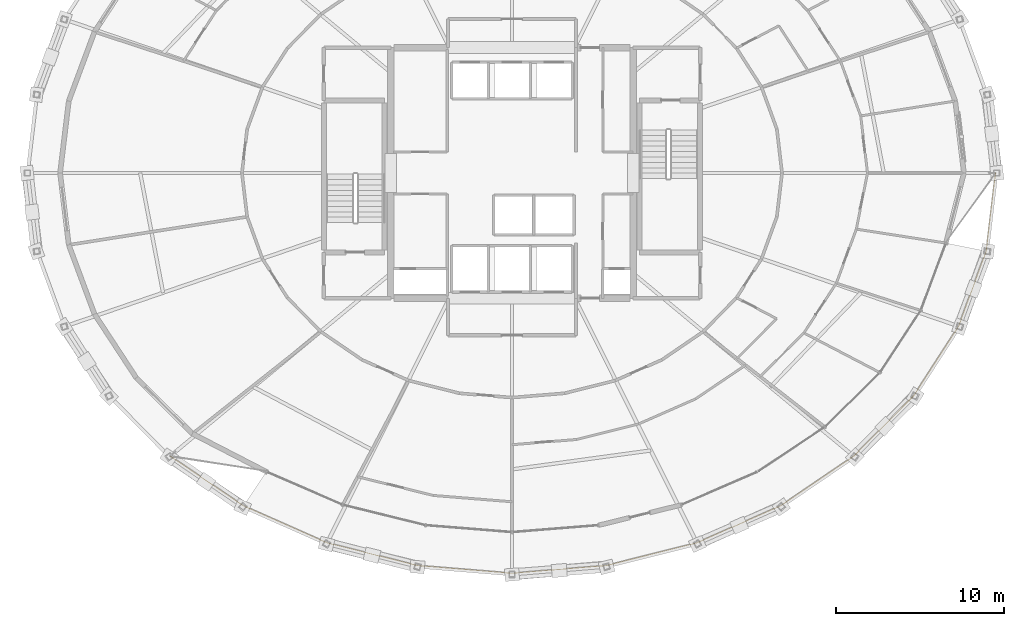
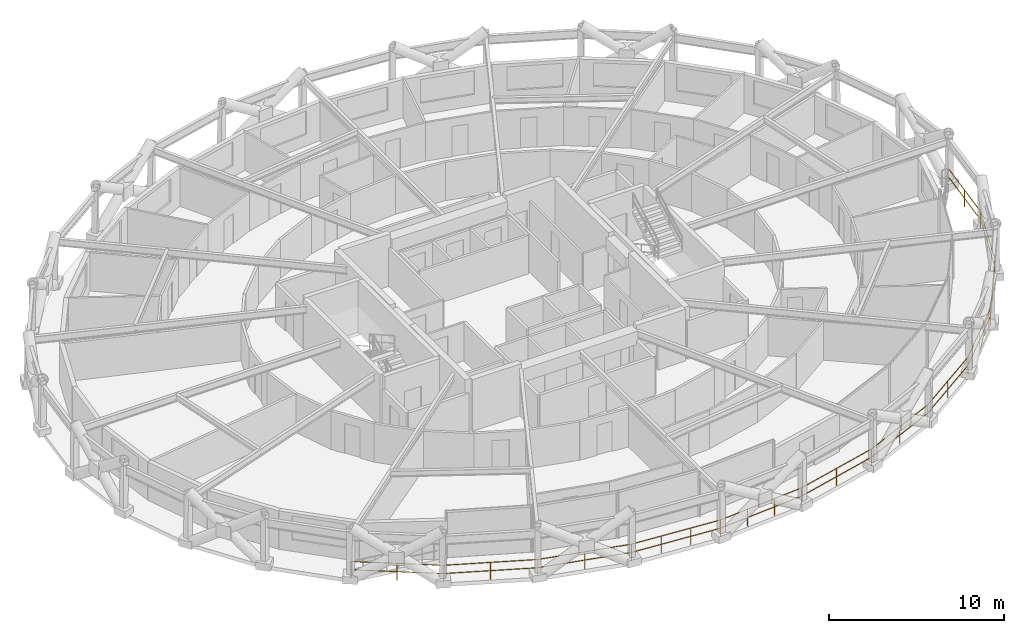
# One storey, part 22 of 23: 1 railing.
"""IFC4 building model written with IfcOpenShell, lengths in metres."""

import ifcopenshell
import ifcopenshell.guid

model = None  # the IFC model being written
_history = None  # IfcOwnerHistory: only IFC2X3 demands one
_inside = {}  # id of a spatial element -> (the spatial element, [elements in it])
_under = {}  # id of a project, library or spatial element -> (it, [spatial elements below it])
_declared = {}  # id of a project -> (the project, [libraries it declares])
_typed = {}  # id of a type object -> (the type object, [elements of that type])
_made_of = {}  # id of a material, layer set ... -> (it, [elements and type objects made of it])


def new_model(schema):
    """Start an empty IFC model of exactly this schema.

    Asked for "IFC4X3", IfcOpenShell would pick the latest addendum, in which some entities
    have other attributes; the version numbers below select the first issue.
    IFC2X3 requires an IfcOwnerHistory on every rooted entity: one is made here for all.
    """
    global model, _history
    if schema == "IFC4X3":
        model = ifcopenshell.file(schema_version=(4, 3, 0, 0))
    else:
        model = ifcopenshell.file(schema=schema)
    _inside.clear()
    _under.clear()
    _declared.clear()
    _typed.clear()
    _made_of.clear()
    _history = None
    if model.schema == "IFC2X3":
        org = make("IfcOrganization", Name="unknown")
        user = make(
            "IfcPersonAndOrganization",
            ThePerson=make("IfcPerson", FamilyName="unknown"),
            TheOrganization=org,
        )
        app = make(
            "IfcApplication",
            ApplicationDeveloper=org,
            Version="unknown",
            ApplicationFullName="unknown",
            ApplicationIdentifier="unknown",
        )
        _history = make(
            "IfcOwnerHistory",
            OwningUser=user,
            OwningApplication=app,
            ChangeAction="ADDED",
            CreationDate=0,
        )
    return model


def make(cls, **values):
    """One entity of the class cls with the attributes given. An attribute that is None is left unset."""
    return model.create_entity(
        cls, **{name: value for name, value in values.items() if value is not None}
    )


def rooted(cls, **values):
    """An entity with a GlobalId (a new one), such as an element, a storey or a relation."""
    return make(cls, GlobalId=ifcopenshell.guid.new(), OwnerHistory=_history, **values)


def si_unit(unit_type, name, prefix=None):
    """IfcSIUnit, for example si_unit("LENGTHUNIT", "METRE", prefix="MILLI")."""
    return make("IfcSIUnit", UnitType=unit_type, Prefix=prefix, Name=name)


def assignment(units):
    """IfcUnitAssignment: the units of a project."""
    return None if units is None else make("IfcUnitAssignment", Units=units)


def point(xyz):
    """IfcCartesianPoint."""
    return None if xyz is None else make("IfcCartesianPoint", Coordinates=xyz)


def direction(xyz):
    """IfcDirection."""
    return None if xyz is None else make("IfcDirection", DirectionRatios=xyz)


def frame(location, z_axis=None, x_axis=None):
    """IfcAxis2Placement3D, a coordinate frame: its origin and axes. An axis left out is left unset."""
    return make(
        "IfcAxis2Placement3D",
        Location=point(location),
        Axis=direction(z_axis),
        RefDirection=direction(x_axis),
    )


def frame_2d(location, x_axis=None):
    """IfcAxis2Placement2D, a coordinate frame in the plane: its origin and x axis."""
    return make(
        "IfcAxis2Placement2D", Location=point(location), RefDirection=direction(x_axis)
    )


def origin():
    """The frame at (0, 0, 0) with its axes left unset."""
    return frame((0.0, 0.0, 0.0))


def origin_2d():
    """The frame at (0, 0) in the plane with its x axis left unset."""
    return frame_2d((0.0, 0.0))


def place(relative_to, where):
    """IfcLocalPlacement: puts the frame where relative to a parent placement (None: the world)."""
    return make(
        "IfcLocalPlacement", PlacementRelTo=relative_to, RelativePlacement=where
    )


def context(
    kind, dimensions, precision=None, world=None, true_north=None, identifier=None
):
    """IfcGeometricRepresentationContext, for example the 3D "Model" context."""
    return make(
        "IfcGeometricRepresentationContext",
        ContextIdentifier=identifier,
        ContextType=kind,
        CoordinateSpaceDimension=dimensions,
        Precision=precision,
        WorldCoordinateSystem=world,
        TrueNorth=true_north,
    )


def subcontext(parent, identifier, kind, view, scale=None):
    """IfcGeometricRepresentationSubContext, for example "Body" below "Model"."""
    return make(
        "IfcGeometricRepresentationSubContext",
        ContextIdentifier=identifier,
        ContextType=kind,
        ParentContext=parent,
        TargetScale=scale,
        TargetView=view,
    )


def project(units=None, contexts=None):
    """IfcProject with its units and contexts."""
    return rooted(
        "IfcProject",
        Name="project",
        RepresentationContexts=contexts,
        UnitsInContext=assignment(units),
    )


def spatial(cls, under=None, at=None, **own):
    """A site, building, storey or space (cls), placed at a placement, below another one or the project."""
    s = rooted(cls, ObjectPlacement=at, **own)
    if under is not None:
        _under.setdefault(under.id(), (under, []))[1].append(s)
    return s


def profile(cls, at=None, kind="AREA", **sizes):
    """A parametric profile (cls). Its sizes go by their IFC names, for example OverallWidth=200.0."""
    return make(cls, ProfileType=kind, Position=at, **sizes)


def circle(**sizes):
    """IfcCircleProfileDef."""
    return profile("IfcCircleProfileDef", **sizes)


def extrude(swept, where, along, depth):
    """IfcExtrudedAreaSolid: the profile swept, set in the frame where, extruded along a direction by depth."""
    return make(
        "IfcExtrudedAreaSolid",
        SweptArea=swept,
        Position=where,
        ExtrudedDirection=direction(along),
        Depth=depth,
    )


def shape(context_of_items, identifier, shape_type, items):
    """IfcShapeRepresentation: the items that make up one representation, for example the "Body"."""
    return make(
        "IfcShapeRepresentation",
        ContextOfItems=context_of_items,
        RepresentationIdentifier=identifier,
        RepresentationType=shape_type,
        Items=items,
    )


def material(Name=None, Category=None):
    """IfcMaterial."""
    return make("IfcMaterial", Name=Name, Category=Category)


def made_of(thing, what):
    """Note that an element or type object is made of a material, layer set ...; save() writes the relation."""
    if what is not None:
        _made_of.setdefault(what.id(), (what, []))[1].append(thing)
    return thing


def type_object(cls, material=None, **own):
    """A type object (cls), such as IfcWallType, which elements share."""
    return made_of(rooted(cls, **own), material)


def element(
    cls,
    number,
    at=None,
    inside=None,
    cuts=None,
    type_object=None,
    material=None,
    context=None,
    identifier="Body",
    shape_type=None,
    held_by="IfcProductDefinitionShape",
    body=None,
    shapes=None,
    **own,
):
    """One element of the class cls, such as IfcWall. Its Tag is "e" and its number.

    at: its placement. inside: the storey or other place that contains it. cuts: it is an
    opening in that element (IfcRelVoidsElement). A single representation is given by context,
    identifier, shape_type and body (its items); several are given by shapes. held_by: the class
    of the entity that holds the representations. save() writes the other relations.
    """
    e = rooted(cls, Tag="e%d" % number, ObjectPlacement=at, **own)
    if body is not None:
        shapes = [shape(context, identifier, shape_type, body)]
    if shapes is not None:
        e.Representation = make(held_by, Representations=shapes)
    if inside is not None:
        _inside.setdefault(inside.id(), (inside, []))[1].append(e)
    if cuts is not None:
        rooted(
            "IfcRelVoidsElement", RelatingBuildingElement=cuts, RelatedOpeningElement=e
        )
    if type_object is not None:
        _typed.setdefault(type_object.id(), (type_object, []))[1].append(e)
    return made_of(e, material)


def aggregate(whole, parts):
    """IfcRelAggregates: a whole, such as a stair, and the parts it consists of."""
    return rooted("IfcRelAggregates", RelatingObject=whole, RelatedObjects=parts)


def save(model, path):
    """Write the relations noted so far, then the file.

    IfcRelAggregates (storeys below a building ...), IfcRelContainedInSpatialStructure (elements
    in a storey), IfcRelDefinesByType, IfcRelAssociatesMaterial and IfcRelDeclares: one each for
    every whole, place, type object, material and project.
    """
    for whole, parts in _under.values():
        aggregate(whole, parts)
    for where, things in _inside.values():
        rooted(
            "IfcRelContainedInSpatialStructure",
            RelatedElements=things,
            RelatingStructure=where,
        )
    for kind, things in _typed.values():
        rooted("IfcRelDefinesByType", RelatedObjects=things, RelatingType=kind)
    for what, things in _made_of.values():
        rooted("IfcRelAssociatesMaterial", RelatedObjects=things, RelatingMaterial=what)
    for by, libraries in _declared.values():
        rooted("IfcRelDeclares", RelatingContext=by, RelatedDefinitions=libraries)
    model.write(path)


model = new_model("IFC4")

# Units and contexts
model_context = context("Model", 3, precision=1e-05, world=origin(), true_north=direction((0.0, 1.0)))
body_context = subcontext(model_context, "Body", "Model", "MODEL_VIEW")
ifc_project = project(units=[si_unit("LENGTHUNIT", "METRE"), si_unit("AREAUNIT", "SQUARE_METRE"), si_unit("VOLUMEUNIT", "CUBIC_METRE"), si_unit("PLANEANGLEUNIT", "RADIAN"), si_unit("MASSUNIT", "GRAM", prefix="KILO")], contexts=[model_context])

# Site, building, storey
site_placement = place(None, origin())
site = spatial("IfcSite", under=ifc_project, at=site_placement, CompositionType="ELEMENT")
building_placement = place(site_placement, origin())
building = spatial("IfcBuilding", under=site, at=building_placement, Name="Veldorina Hangang Commons", CompositionType="ELEMENT")
storey_placement = place(building_placement, frame((0.0, 0.0, 102.39990234375)))
storey = spatial("IfcBuildingStorey", under=building, at=storey_placement, Name="L26", CompositionType="ELEMENT", Elevation=102.39990234375)

# Railing
ifc_material = material(Name="Glass Laminated Safety Balustrade", Category="glass")
railing_type = type_object("IfcRailingType", Name="RL-BAL-LOGGIA", PredefinedType="BALUSTRADE", material=ifc_material)
railing_placement = place(storey_placement, frame((11.68310546875, 7.169677734375, 0.0)))
element("IfcRailing", 1, at=railing_placement, inside=storey, type_object=railing_type, Name="L26 sky-garden loggia outer balustrade", PredefinedType="BALUSTRADE", context=body_context, shape_type="SweptSolid", body=[
    extrude(circle(Radius=0.02392578125, at=origin_2d()), frame((0.0, 0.0, 1.17578125), z_axis=(0.827290289064, -0.561774668012, 0.0), x_axis=(0.561774668012, 0.827290289064, 0.0)), (0.0, 0.0, 1.0), 5.26513671875),
    extrude(circle(Radius=0.02392578125, at=origin_2d()), frame((0.0, 0.0, 0.60009765625), z_axis=(0.827290289064, -0.561774668012, 0.0), x_axis=(0.561774668012, 0.827290289064, 0.0)), (0.0, 0.0, 1.0), 5.26513671875),
    extrude(circle(Radius=0.02392578125, at=origin_2d()), frame((4.355712890625, -2.957763671875, 1.17578125), z_axis=(0.914584569199, -0.404394690597, 0.0), x_axis=(0.404394690597, 0.914584569199, 0.0)), (0.0, 0.0, 1.0), 5.432373046875),
    extrude(circle(Radius=0.02392578125, at=origin_2d()), frame((4.355712890625, -2.957763671875, 0.60009765625), z_axis=(0.914584569199, -0.404394690597, 0.0), x_axis=(0.404394690597, 0.914584569199, 0.0)), (0.0, 0.0, 1.0), 5.432373046875),
    extrude(circle(Radius=0.02392578125, at=origin_2d()), frame((9.323974609375, -5.154541015625, 1.17578125), z_axis=(0.969930184136, -0.243383314756, 0.0), x_axis=(0.243383314756, 0.969930184136, 0.0)), (0.0, 0.0, 1.0), 5.55615234375),
    extrude(circle(Radius=0.02392578125, at=origin_2d()), frame((9.323974609375, -5.154541015625, 0.60009765625), z_axis=(0.969930184136, -0.243383314756, 0.0), x_axis=(0.243383314756, 0.969930184136, 0.0)), (0.0, 0.0, 1.0), 5.55615234375),
    extrude(circle(Radius=0.02392578125, at=origin_2d()), frame((14.713134765625, -6.5068359375, 1.17578125), z_axis=(0.996697682071, -0.081201789111, 0.0), x_axis=(0.081201789111, 0.996697682071, 0.0)), (0.0, 0.0, 1.0), 5.622314453125),
    extrude(circle(Radius=0.02392578125, at=origin_2d()), frame((14.713134765625, -6.5068359375, 0.60009765625), z_axis=(0.996697682071, -0.081201789111, 0.0), x_axis=(0.081201789111, 0.996697682071, 0.0)), (0.0, 0.0, 1.0), 5.622314453125),
    extrude(circle(Radius=0.02392578125, at=origin_2d()), frame((20.31689453125, -6.96337890625, 1.17578125), z_axis=(0.996697682071, 0.081201789111, 0.0), x_axis=(-0.081201789111, 0.996697682071, 0.0)), (0.0, 0.0, 1.0), 5.622314453125),
    extrude(circle(Radius=0.02392578125, at=origin_2d()), frame((20.31689453125, -6.96337890625, 0.60009765625), z_axis=(0.996697682071, 0.081201789111, 0.0), x_axis=(-0.081201789111, 0.996697682071, 0.0)), (0.0, 0.0, 1.0), 5.622314453125),
    extrude(circle(Radius=0.02392578125, at=origin_2d()), frame((25.920654296875, -6.5068359375, 1.17578125), z_axis=(0.969930184136, 0.243383314756, 0.0), x_axis=(-0.243383314756, 0.969930184136, 0.0)), (0.0, 0.0, 1.0), 5.55615234375),
    extrude(circle(Radius=0.02392578125, at=origin_2d()), frame((25.920654296875, -6.5068359375, 0.60009765625), z_axis=(0.969930184136, 0.243383314756, 0.0), x_axis=(-0.243383314756, 0.969930184136, 0.0)), (0.0, 0.0, 1.0), 5.55615234375),
    extrude(circle(Radius=0.02392578125, at=origin_2d()), frame((31.309814453125, -5.154541015625, 1.17578125), z_axis=(0.914584569199, 0.404394690597, 0.0), x_axis=(-0.404394690597, 0.914584569199, 0.0)), (0.0, 0.0, 1.0), 5.432373046875),
    extrude(circle(Radius=0.02392578125, at=origin_2d()), frame((31.309814453125, -5.154541015625, 0.60009765625), z_axis=(0.914584569199, 0.404394690597, 0.0), x_axis=(-0.404394690597, 0.914584569199, 0.0)), (0.0, 0.0, 1.0), 5.432373046875),
    extrude(circle(Radius=0.02392578125, at=origin_2d()), frame((36.278076171875, -2.957763671875, 1.17578125), z_axis=(0.827290289064, 0.561774668012, 0.0), x_axis=(-0.561774668012, 0.827290289064, 0.0)), (0.0, 0.0, 1.0), 5.26513671875),
    extrude(circle(Radius=0.02392578125, at=origin_2d()), frame((36.278076171875, -2.957763671875, 0.60009765625), z_axis=(0.827290289064, 0.561774668012, 0.0), x_axis=(-0.561774668012, 0.827290289064, 0.0)), (0.0, 0.0, 1.0), 5.26513671875),
    extrude(circle(Radius=0.02392578125, at=origin_2d()), frame((40.6337890625, 0.0, 1.17578125), z_axis=(0.70416786818, 0.710033529788, 0.0), x_axis=(-0.710033529788, 0.70416786818, 0.0)), (0.0, 0.0, 1.0), 5.077880859375),
    extrude(circle(Radius=0.02392578125, at=origin_2d()), frame((40.6337890625, 0.0, 0.60009765625), z_axis=(0.70416786818, 0.710033529788, 0.0), x_axis=(-0.710033529788, 0.70416786818, 0.0)), (0.0, 0.0, 1.0), 5.077880859375),
    extrude(circle(Radius=0.02392578125, at=origin_2d()), frame((44.20947265625, 3.60546875, 1.17578125), z_axis=(0.542529827942, 0.840036538368, 0.0), x_axis=(-0.840036538368, 0.542529827942, 0.0)), (0.0, 0.0, 1.0), 4.898193359375),
    extrude(circle(Radius=0.02392578125, at=origin_2d()), frame((44.20947265625, 3.60546875, 0.60009765625), z_axis=(0.542529827942, 0.840036538368, 0.0), x_axis=(-0.840036538368, 0.542529827942, 0.0)), (0.0, 0.0, 1.0), 4.898193359375),
    extrude(circle(Radius=0.02392578125, at=origin_2d()), frame((46.866943359375, 7.72021484375, 1.17578125), z_axis=(0.344177726162, 0.93890451741, 0.0), x_axis=(-0.93890451741, 0.344177726162, 0.0)), (0.0, 0.0, 1.0), 4.756103515625),
    extrude(circle(Radius=0.02392578125, at=origin_2d()), frame((46.866943359375, 7.72021484375, 0.60009765625), z_axis=(0.344177726162, 0.93890451741, 0.0), x_axis=(-0.93890451741, 0.344177726162, 0.0)), (0.0, 0.0, 1.0), 4.756103515625),
    extrude(circle(Radius=0.02392578125, at=origin_2d()), frame((48.50390625, 12.185791015625, 1.17578125), z_axis=(0.118122208006, 0.992999065446, 0.0), x_axis=(-0.992999065446, 0.118122208006, 0.0)), (0.0, 0.0, 1.0), 4.67724609375),
    extrude(circle(Radius=0.02392578125, at=origin_2d()), frame((48.50390625, 12.185791015625, 0.60009765625), z_axis=(0.118122208006, 0.992999065446, 0.0), x_axis=(-0.992999065446, 0.118122208006, 0.0)), (0.0, 0.0, 1.0), 4.67724609375),
    extrude(circle(Radius=0.02099609375, at=origin_2d()), origin(), (0.0, 0.0, 1.0), 1.15185546875),
    extrude(circle(Radius=0.02099609375, at=origin_2d()), frame((2.177734375, -1.47900390625, 0.0)), (0.0, 0.0, 1.0), 1.15185546875),
    extrude(circle(Radius=0.02099609375, at=origin_2d()), frame((4.355712890625, -2.957763671875, 0.0)), (0.0, 0.0, 1.0), 1.15185546875),
    extrude(circle(Radius=0.02099609375, at=origin_2d()), frame((6.83984375, -4.05615234375, 0.0)), (0.0, 0.0, 1.0), 1.15185546875),
    extrude(circle(Radius=0.02099609375, at=origin_2d()), frame((9.323974609375, -5.154541015625, 0.0)), (0.0, 0.0, 1.0), 1.15185546875),
    extrude(circle(Radius=0.02099609375, at=origin_2d()), frame((12.0185546875, -5.83056640625, 0.0)), (0.0, 0.0, 1.0), 1.15185546875),
    extrude(circle(Radius=0.02099609375, at=origin_2d()), frame((14.713134765625, -6.5068359375, 0.0)), (0.0, 0.0, 1.0), 1.15185546875),
    extrude(circle(Radius=0.02099609375, at=origin_2d()), frame((16.5810546875, -6.658935546875, 0.0)), (0.0, 0.0, 1.0), 1.15185546875),
    extrude(circle(Radius=0.02099609375, at=origin_2d()), frame((18.448974609375, -6.811279296875, 0.0)), (0.0, 0.0, 1.0), 1.15185546875),
    extrude(circle(Radius=0.02099609375, at=origin_2d()), frame((20.31689453125, -6.96337890625, 0.0)), (0.0, 0.0, 1.0), 1.15185546875),
    extrude(circle(Radius=0.02099609375, at=origin_2d()), frame((22.184814453125, -6.811279296875, 0.0)), (0.0, 0.0, 1.0), 1.15185546875),
    extrude(circle(Radius=0.02099609375, at=origin_2d()), frame((24.052734375, -6.658935546875, 0.0)), (0.0, 0.0, 1.0), 1.15185546875),
    extrude(circle(Radius=0.02099609375, at=origin_2d()), frame((25.920654296875, -6.5068359375, 0.0)), (0.0, 0.0, 1.0), 1.15185546875),
    extrude(circle(Radius=0.02099609375, at=origin_2d()), frame((28.615234375, -5.83056640625, 0.0)), (0.0, 0.0, 1.0), 1.15185546875),
    extrude(circle(Radius=0.02099609375, at=origin_2d()), frame((31.309814453125, -5.154541015625, 0.0)), (0.0, 0.0, 1.0), 1.15185546875),
    extrude(circle(Radius=0.02099609375, at=origin_2d()), frame((33.7939453125, -4.05615234375, 0.0)), (0.0, 0.0, 1.0), 1.15185546875),
    extrude(circle(Radius=0.02099609375, at=origin_2d()), frame((36.278076171875, -2.957763671875, 0.0)), (0.0, 0.0, 1.0), 1.15185546875),
    extrude(circle(Radius=0.02099609375, at=origin_2d()), frame((38.4560546875, -1.47900390625, 0.0)), (0.0, 0.0, 1.0), 1.15185546875),
    extrude(circle(Radius=0.02099609375, at=origin_2d()), frame((40.6337890625, 0.0, 0.0)), (0.0, 0.0, 1.0), 1.15185546875),
    extrude(circle(Radius=0.02099609375, at=origin_2d()), frame((42.421630859375, 1.802734375, 0.0)), (0.0, 0.0, 1.0), 1.15185546875),
    extrude(circle(Radius=0.02099609375, at=origin_2d()), frame((44.20947265625, 3.60546875, 0.0)), (0.0, 0.0, 1.0), 1.15185546875),
    extrude(circle(Radius=0.02099609375, at=origin_2d()), frame((45.5380859375, 5.662841796875, 0.0)), (0.0, 0.0, 1.0), 1.15185546875),
    extrude(circle(Radius=0.02099609375, at=origin_2d()), frame((46.866943359375, 7.72021484375, 0.0)), (0.0, 0.0, 1.0), 1.15185546875),
    extrude(circle(Radius=0.02099609375, at=origin_2d()), frame((47.685546875, 9.953125, 0.0)), (0.0, 0.0, 1.0), 1.15185546875),
    extrude(circle(Radius=0.02099609375, at=origin_2d()), frame((48.50390625, 12.185791015625, 0.0)), (0.0, 0.0, 1.0), 1.15185546875),
    extrude(circle(Radius=0.02099609375, at=origin_2d()), frame((48.7802734375, 14.508056640625, 0.0)), (0.0, 0.0, 1.0), 1.15185546875),
    extrude(circle(Radius=0.02099609375, at=origin_2d()), frame((49.056396484375, 16.830322265625, 0.0)), (0.0, 0.0, 1.0), 1.15185546875),
])

save(model, "model.ifc")
